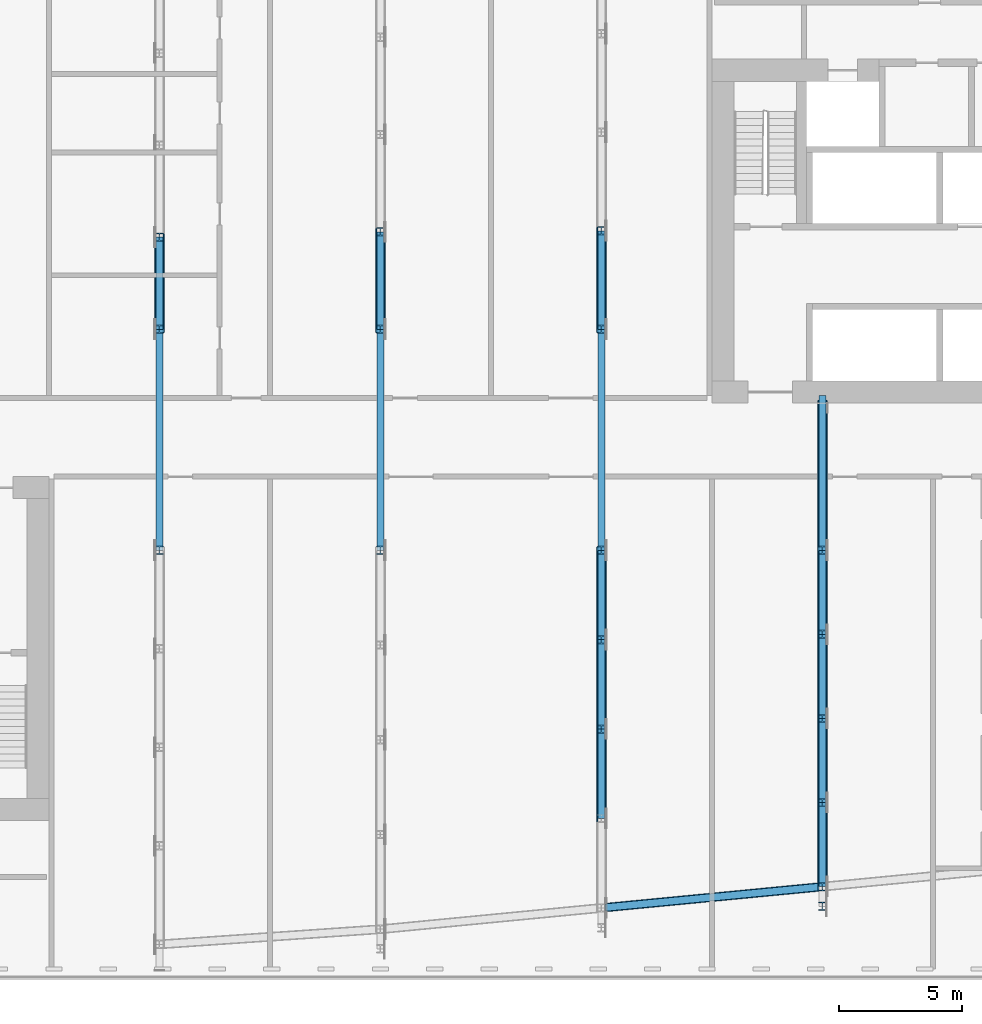
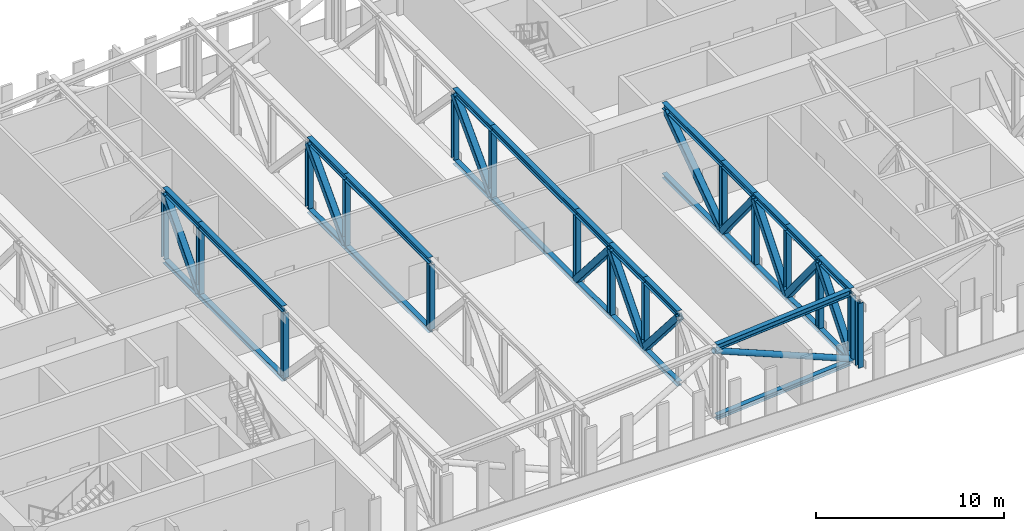
# One storey, part 2 of 22: 59 members.
"""IFC4 building model written with IfcOpenShell, lengths in metres."""

import ifcopenshell
import ifcopenshell.guid

model = None  # the IFC model being written
_history = None  # IfcOwnerHistory: only IFC2X3 demands one
_inside = {}  # id of a spatial element -> (the spatial element, [elements in it])
_under = {}  # id of a project, library or spatial element -> (it, [spatial elements below it])
_declared = {}  # id of a project -> (the project, [libraries it declares])
_typed = {}  # id of a type object -> (the type object, [elements of that type])
_made_of = {}  # id of a material, layer set ... -> (it, [elements and type objects made of it])


def new_model(schema):
    """Start an empty IFC model of exactly this schema.

    Asked for "IFC4X3", IfcOpenShell would pick the latest addendum, in which some entities
    have other attributes; the version numbers below select the first issue.
    IFC2X3 requires an IfcOwnerHistory on every rooted entity: one is made here for all.
    """
    global model, _history
    if schema == "IFC4X3":
        model = ifcopenshell.file(schema_version=(4, 3, 0, 0))
    else:
        model = ifcopenshell.file(schema=schema)
    _inside.clear()
    _under.clear()
    _declared.clear()
    _typed.clear()
    _made_of.clear()
    _history = None
    if model.schema == "IFC2X3":
        org = make("IfcOrganization", Name="unknown")
        user = make(
            "IfcPersonAndOrganization",
            ThePerson=make("IfcPerson", FamilyName="unknown"),
            TheOrganization=org,
        )
        app = make(
            "IfcApplication",
            ApplicationDeveloper=org,
            Version="unknown",
            ApplicationFullName="unknown",
            ApplicationIdentifier="unknown",
        )
        _history = make(
            "IfcOwnerHistory",
            OwningUser=user,
            OwningApplication=app,
            ChangeAction="ADDED",
            CreationDate=0,
        )
    return model


def make(cls, **values):
    """One entity of the class cls with the attributes given. An attribute that is None is left unset."""
    return model.create_entity(
        cls, **{name: value for name, value in values.items() if value is not None}
    )


def rooted(cls, **values):
    """An entity with a GlobalId (a new one), such as an element, a storey or a relation."""
    return make(cls, GlobalId=ifcopenshell.guid.new(), OwnerHistory=_history, **values)


def si_unit(unit_type, name, prefix=None):
    """IfcSIUnit, for example si_unit("LENGTHUNIT", "METRE", prefix="MILLI")."""
    return make("IfcSIUnit", UnitType=unit_type, Prefix=prefix, Name=name)


def assignment(units):
    """IfcUnitAssignment: the units of a project."""
    return None if units is None else make("IfcUnitAssignment", Units=units)


def point(xyz):
    """IfcCartesianPoint."""
    return None if xyz is None else make("IfcCartesianPoint", Coordinates=xyz)


def direction(xyz):
    """IfcDirection."""
    return None if xyz is None else make("IfcDirection", DirectionRatios=xyz)


def frame(location, z_axis=None, x_axis=None):
    """IfcAxis2Placement3D, a coordinate frame: its origin and axes. An axis left out is left unset."""
    return make(
        "IfcAxis2Placement3D",
        Location=point(location),
        Axis=direction(z_axis),
        RefDirection=direction(x_axis),
    )


def frame_2d(location, x_axis=None):
    """IfcAxis2Placement2D, a coordinate frame in the plane: its origin and x axis."""
    return make(
        "IfcAxis2Placement2D", Location=point(location), RefDirection=direction(x_axis)
    )


def origin():
    """The frame at (0, 0, 0) with its axes left unset."""
    return frame((0.0, 0.0, 0.0))


def origin_2d():
    """The frame at (0, 0) in the plane with its x axis left unset."""
    return frame_2d((0.0, 0.0))


def place(relative_to, where):
    """IfcLocalPlacement: puts the frame where relative to a parent placement (None: the world)."""
    return make(
        "IfcLocalPlacement", PlacementRelTo=relative_to, RelativePlacement=where
    )


def context(
    kind, dimensions, precision=None, world=None, true_north=None, identifier=None
):
    """IfcGeometricRepresentationContext, for example the 3D "Model" context."""
    return make(
        "IfcGeometricRepresentationContext",
        ContextIdentifier=identifier,
        ContextType=kind,
        CoordinateSpaceDimension=dimensions,
        Precision=precision,
        WorldCoordinateSystem=world,
        TrueNorth=true_north,
    )


def subcontext(parent, identifier, kind, view, scale=None):
    """IfcGeometricRepresentationSubContext, for example "Body" below "Model"."""
    return make(
        "IfcGeometricRepresentationSubContext",
        ContextIdentifier=identifier,
        ContextType=kind,
        ParentContext=parent,
        TargetScale=scale,
        TargetView=view,
    )


def project(units=None, contexts=None):
    """IfcProject with its units and contexts."""
    return rooted(
        "IfcProject",
        Name="project",
        RepresentationContexts=contexts,
        UnitsInContext=assignment(units),
    )


def spatial(cls, under=None, at=None, **own):
    """A site, building, storey or space (cls), placed at a placement, below another one or the project."""
    s = rooted(cls, ObjectPlacement=at, **own)
    if under is not None:
        _under.setdefault(under.id(), (under, []))[1].append(s)
    return s


def profile(cls, at=None, kind="AREA", **sizes):
    """A parametric profile (cls). Its sizes go by their IFC names, for example OverallWidth=200.0."""
    return make(cls, ProfileType=kind, Position=at, **sizes)


def hollow_rectangle(**sizes):
    """IfcRectangleHollowProfileDef."""
    return profile("IfcRectangleHollowProfileDef", **sizes)


def hollow_circle(**sizes):
    """IfcCircleHollowProfileDef."""
    return profile("IfcCircleHollowProfileDef", **sizes)


def i_section(**sizes):
    """IfcIShapeProfileDef."""
    return profile("IfcIShapeProfileDef", **sizes)


def extrude(swept, where, along, depth):
    """IfcExtrudedAreaSolid: the profile swept, set in the frame where, extruded along a direction by depth."""
    return make(
        "IfcExtrudedAreaSolid",
        SweptArea=swept,
        Position=where,
        ExtrudedDirection=direction(along),
        Depth=depth,
    )


def shape(context_of_items, identifier, shape_type, items):
    """IfcShapeRepresentation: the items that make up one representation, for example the "Body"."""
    return make(
        "IfcShapeRepresentation",
        ContextOfItems=context_of_items,
        RepresentationIdentifier=identifier,
        RepresentationType=shape_type,
        Items=items,
    )


def material(Name=None, Category=None):
    """IfcMaterial."""
    return make("IfcMaterial", Name=Name, Category=Category)


def material_profile(
    of_material, cross_section, Name=None, Category=None, Priority=None
):
    """IfcMaterialProfile: a cross section and its material."""
    return make(
        "IfcMaterialProfile",
        Name=Name,
        Material=of_material,
        Profile=cross_section,
        Priority=Priority,
        Category=Category,
    )


def profile_set(profiles, Name=None, composite=None):
    """IfcMaterialProfileSet."""
    return make(
        "IfcMaterialProfileSet",
        Name=Name,
        MaterialProfiles=profiles,
        CompositeProfile=composite,
    )


def made_of(thing, what):
    """Note that an element or type object is made of a material, layer set ...; save() writes the relation."""
    if what is not None:
        _made_of.setdefault(what.id(), (what, []))[1].append(thing)
    return thing


def type_object(cls, material=None, **own):
    """A type object (cls), such as IfcWallType, which elements share."""
    return made_of(rooted(cls, **own), material)


def element(
    cls,
    number,
    at=None,
    inside=None,
    cuts=None,
    type_object=None,
    material=None,
    context=None,
    identifier="Body",
    shape_type=None,
    held_by="IfcProductDefinitionShape",
    body=None,
    shapes=None,
    **own,
):
    """One element of the class cls, such as IfcWall. Its Tag is "e" and its number.

    at: its placement. inside: the storey or other place that contains it. cuts: it is an
    opening in that element (IfcRelVoidsElement). A single representation is given by context,
    identifier, shape_type and body (its items); several are given by shapes. held_by: the class
    of the entity that holds the representations. save() writes the other relations.
    """
    e = rooted(cls, Tag="e%d" % number, ObjectPlacement=at, **own)
    if body is not None:
        shapes = [shape(context, identifier, shape_type, body)]
    if shapes is not None:
        e.Representation = make(held_by, Representations=shapes)
    if inside is not None:
        _inside.setdefault(inside.id(), (inside, []))[1].append(e)
    if cuts is not None:
        rooted(
            "IfcRelVoidsElement", RelatingBuildingElement=cuts, RelatedOpeningElement=e
        )
    if type_object is not None:
        _typed.setdefault(type_object.id(), (type_object, []))[1].append(e)
    return made_of(e, material)


def aggregate(whole, parts):
    """IfcRelAggregates: a whole, such as a stair, and the parts it consists of."""
    return rooted("IfcRelAggregates", RelatingObject=whole, RelatedObjects=parts)


def save(model, path):
    """Write the relations noted so far, then the file.

    IfcRelAggregates (storeys below a building ...), IfcRelContainedInSpatialStructure (elements
    in a storey), IfcRelDefinesByType, IfcRelAssociatesMaterial and IfcRelDeclares: one each for
    every whole, place, type object, material and project.
    """
    for whole, parts in _under.values():
        aggregate(whole, parts)
    for where, things in _inside.values():
        rooted(
            "IfcRelContainedInSpatialStructure",
            RelatedElements=things,
            RelatingStructure=where,
        )
    for kind, things in _typed.values():
        rooted("IfcRelDefinesByType", RelatedObjects=things, RelatingType=kind)
    for what, things in _made_of.values():
        rooted("IfcRelAssociatesMaterial", RelatedObjects=things, RelatingMaterial=what)
    for by, libraries in _declared.values():
        rooted("IfcRelDeclares", RelatingContext=by, RelatedDefinitions=libraries)
    model.write(path)


model = new_model("IFC4")

# Units and contexts
model_context = context("Model", 3, precision=1e-05, world=origin(), true_north=direction((0.0, 1.0)))
body_context = subcontext(model_context, "Body", "Model", "MODEL_VIEW")
ifc_project = project(units=[si_unit("LENGTHUNIT", "METRE"), si_unit("AREAUNIT", "SQUARE_METRE"), si_unit("VOLUMEUNIT", "CUBIC_METRE"), si_unit("PLANEANGLEUNIT", "RADIAN"), si_unit("MASSUNIT", "GRAM", prefix="KILO")], contexts=[model_context])

# Site, building, storey
site_placement = place(None, origin())
site = spatial("IfcSite", under=ifc_project, at=site_placement, CompositionType="ELEMENT")
building_placement = place(site_placement, origin())
building = spatial("IfcBuilding", under=site, at=building_placement, Name="Kajstack Hotel Tower", CompositionType="ELEMENT")
storey_placement = place(building_placement, frame((0.0, 0.0, 99.60009765625)))
storey = spatial("IfcBuildingStorey", under=building, at=storey_placement, Name="L21", CompositionType="ELEMENT", Elevation=99.60009765625)

# Members
ifc_material = material(Name="Steel S355J2", Category="steel")
ifc_material_profile_1 = material_profile(ifc_material, i_section(OverallWidth=0.300048828125, OverallDepth=0.300048828125, WebThickness=0.010986328125, FlangeThickness=0.01904296875, FilletRadius=0.027099609375, at=origin_2d()), Name="HEB 300")
ifc_profile_set_1 = profile_set([ifc_material_profile_1], Name="Steel S355J2")
member_type_1 = type_object("IfcMemberType", Name="Belt truss bottom chord BB2 HEB 300", PredefinedType="CHORD", material=ifc_profile_set_1)
member_1_placement = place(storey_placement, frame((9.1494140625, -19.051513671875, -0.150146484375), z_axis=(0.995395510024, 0.095852900965, 0.0), x_axis=(-0.095852900965, 0.995395510024, 0.0)))
element("IfcMember", 1, at=member_1_placement, inside=storey, type_object=member_type_1, Name="S-belt-truss-L21-s06-b", PredefinedType="CHORD", context=body_context, shape_type="SweptSolid", body=[
    extrude(i_section(OverallWidth=0.300048828125, OverallDepth=0.300048828125, WebThickness=0.010986328125, FlangeThickness=0.01904296875, FilletRadius=0.027099609375, at=origin_2d()), origin(), (0.0, 0.0, 1.0), 8.741455078125),
])
ifc_material_profile_2 = material_profile(ifc_material, i_section(OverallWidth=0.300048828125, OverallDepth=0.300048828125, WebThickness=0.010986328125, FlangeThickness=0.01904296875, FilletRadius=0.027099609375, at=origin_2d()), Name="HEB 300")
ifc_profile_set_2 = profile_set([ifc_material_profile_2], Name="Steel S355J2")
member_type_2 = type_object("IfcMemberType", Name="Belt truss bottom chord BC2 HEB 300", PredefinedType="CHORD", material=ifc_profile_set_2)
member_2_placement = place(storey_placement, frame((-9.0, -4.5, -0.150146484375), z_axis=(0.0, 1.0, 0.0), x_axis=(-1.0, 0.0, 0.0)))
element("IfcMember", 2, at=member_2_placement, inside=storey, type_object=member_type_2, Name="S-belt-truss-L21--9p0-1-bc16", PredefinedType="CHORD", context=body_context, shape_type="SweptSolid", body=[
    extrude(i_section(OverallWidth=0.300048828125, OverallDepth=0.300048828125, WebThickness=0.010986328125, FlangeThickness=0.01904296875, FilletRadius=0.027099609375, at=origin_2d()), origin(), (0.0, 0.0, 1.0), 9.0),
])
member_3_placement = place(storey_placement, frame((-9.0, 4.5, -0.150146484375), z_axis=(0.0, 1.0, 0.0), x_axis=(-1.0, 0.0, 0.0)))
element("IfcMember", 3, at=member_3_placement, inside=storey, type_object=member_type_2, Name="S-belt-truss-L21--9p0-1-bc17", PredefinedType="CHORD", context=body_context, shape_type="SweptSolid", body=[
    extrude(i_section(OverallWidth=0.300048828125, OverallDepth=0.300048828125, WebThickness=0.010986328125, FlangeThickness=0.01904296875, FilletRadius=0.027099609375, at=origin_2d()), origin(), (0.0, 0.0, 1.0), 3.748779296875),
])
member_4_placement = place(storey_placement, frame((0.0, -4.5, -0.150146484375), z_axis=(0.0, 1.0, 0.0), x_axis=(-1.0, 0.0, 0.0)))
element("IfcMember", 4, at=member_4_placement, inside=storey, type_object=member_type_2, Name="S-belt-truss-L21-+0p0-1-bc17", PredefinedType="CHORD", context=body_context, shape_type="SweptSolid", body=[
    extrude(i_section(OverallWidth=0.300048828125, OverallDepth=0.300048828125, WebThickness=0.010986328125, FlangeThickness=0.01904296875, FilletRadius=0.027099609375, at=origin_2d()), origin(), (0.0, 0.0, 1.0), 9.0),
])
member_5_placement = place(storey_placement, frame((0.0, 4.5, -0.150146484375), z_axis=(0.0, 1.0, 0.0), x_axis=(-1.0, 0.0, 0.0)))
element("IfcMember", 5, at=member_5_placement, inside=storey, type_object=member_type_2, Name="S-belt-truss-L21-+0p0-1-bc18", PredefinedType="CHORD", context=body_context, shape_type="SweptSolid", body=[
    extrude(i_section(OverallWidth=0.300048828125, OverallDepth=0.300048828125, WebThickness=0.010986328125, FlangeThickness=0.01904296875, FilletRadius=0.027099609375, at=origin_2d()), origin(), (0.0, 0.0, 1.0), 3.965576171875),
])
for number, where, z_axis, x_axis, name in (
    (6, (9.0, -15.42431640625, -0.150146484375), (0.0, 1.0, 0.0), (-1.0, 0.0, 0.0), "S-belt-truss-L21-+9p0-1-bc15"),
    (7, (9.0, -11.782958984375, -0.150146484375), (0.0, 1.0, 0.0), (-1.0, 0.0, 0.0), "S-belt-truss-L21-+9p0-1-bc16"),
):
    element("IfcMember", number, at=place(storey_placement, frame(where, z_axis=z_axis, x_axis=x_axis)), inside=storey, type_object=member_type_2, Name=name, PredefinedType="CHORD", context=body_context, shape_type="SweptSolid", body=[
        extrude(i_section(OverallWidth=0.300048828125, OverallDepth=0.300048828125, WebThickness=0.010986328125, FlangeThickness=0.01904296875, FilletRadius=0.027099609375, at=origin_2d()), origin(), (0.0, 0.0, 1.0), 3.641357421875),
    ])
member_6_placement = place(storey_placement, frame((9.0, -8.1416015625, -0.150146484375), z_axis=(0.0, 1.0, 0.0), x_axis=(-1.0, 0.0, 0.0)))
element("IfcMember", 8, at=member_6_placement, inside=storey, type_object=member_type_2, Name="S-belt-truss-L21-+9p0-1-bc17", PredefinedType="CHORD", context=body_context, shape_type="SweptSolid", body=[
    extrude(i_section(OverallWidth=0.300048828125, OverallDepth=0.300048828125, WebThickness=0.010986328125, FlangeThickness=0.01904296875, FilletRadius=0.027099609375, at=origin_2d()), origin(), (0.0, 0.0, 1.0), 3.6416015625),
])
member_7_placement = place(storey_placement, frame((9.0, -4.5, -0.150146484375), z_axis=(0.0, 1.0, 0.0), x_axis=(-1.0, 0.0, 0.0)))
element("IfcMember", 9, at=member_7_placement, inside=storey, type_object=member_type_2, Name="S-belt-truss-L21-+9p0-1-bc18", PredefinedType="CHORD", context=body_context, shape_type="SweptSolid", body=[
    extrude(i_section(OverallWidth=0.300048828125, OverallDepth=0.300048828125, WebThickness=0.010986328125, FlangeThickness=0.01904296875, FilletRadius=0.027099609375, at=origin_2d()), origin(), (0.0, 0.0, 1.0), 9.0),
])
member_8_placement = place(storey_placement, frame((9.0, 4.5, -0.150146484375), z_axis=(0.0, 1.0, 0.0), x_axis=(-1.0, 0.0, 0.0)))
element("IfcMember", 10, at=member_8_placement, inside=storey, type_object=member_type_2, Name="S-belt-truss-L21-+9p0-1-bc19", PredefinedType="CHORD", context=body_context, shape_type="SweptSolid", body=[
    extrude(i_section(OverallWidth=0.300048828125, OverallDepth=0.300048828125, WebThickness=0.010986328125, FlangeThickness=0.01904296875, FilletRadius=0.027099609375, at=origin_2d()), origin(), (0.0, 0.0, 1.0), 4.012451171875),
])
for number, where, z_axis, x_axis, name in (
    (11, (18.0, -18.19921875, -0.150146484375), (0.0, 1.0, 0.0), (-1.0, 0.0, 0.0), "S-outrigger-truss-L21-+18p0-1-bc8"),
    (12, (18.0, -14.7744140625, -0.150146484375), (0.0, 1.0, 0.0), (-1.0, 0.0, 0.0), "S-outrigger-truss-L21-+18p0-1-bc9"),
    (13, (18.0, -11.349609375, -0.150146484375), (0.0, 1.0, 0.0), (-1.0, 0.0, 0.0), "S-outrigger-truss-L21-+18p0-1-bc10"),
    (14, (18.0, -7.9248046875, -0.150146484375), (0.0, 1.0, 0.0), (-1.0, 0.0, 0.0), "S-outrigger-truss-L21-+18p0-1-bc11"),
):
    element("IfcMember", number, at=place(storey_placement, frame(where, z_axis=z_axis, x_axis=x_axis)), inside=storey, type_object=member_type_2, Name=name, PredefinedType="CHORD", context=body_context, shape_type="SweptSolid", body=[
        extrude(i_section(OverallWidth=0.300048828125, OverallDepth=0.300048828125, WebThickness=0.010986328125, FlangeThickness=0.01904296875, FilletRadius=0.027099609375, at=origin_2d()), origin(), (0.0, 0.0, 1.0), 3.4248046875),
    ])
member_9_placement = place(storey_placement, frame((18.0, -4.5, -0.150146484375), z_axis=(0.0, 1.0, 0.0), x_axis=(-1.0, 0.0, 0.0)))
element("IfcMember", 15, at=member_9_placement, inside=storey, type_object=member_type_2, Name="S-outrigger-truss-L21-+18p0-1-bc12", PredefinedType="CHORD", context=body_context, shape_type="SweptSolid", body=[
    extrude(i_section(OverallWidth=0.300048828125, OverallDepth=0.300048828125, WebThickness=0.010986328125, FlangeThickness=0.01904296875, FilletRadius=0.027099609375, at=origin_2d()), origin(), (0.0, 0.0, 1.0), 6.300048828125),
])
ifc_material_profile_3 = material_profile(ifc_material, hollow_circle(Radius=0.177734375, WallThickness=0.01611328125, at=origin_2d()), Name="CHS 355.6x16")
ifc_profile_set_3 = profile_set([ifc_material_profile_3], Name="Steel S355J2")
member_type_3 = type_object("IfcMemberType", Name="Belt truss diagonal BD2 CHS 355.6x16", PredefinedType="BRACE", material=ifc_profile_set_3)
member_10_placement = place(storey_placement, frame((18.0, -18.19921875, 0.0), z_axis=(-0.902372121579, -0.086898356977, 0.422105709215), x_axis=(0.095856468129, -0.995395166513, 0.0)))
element("IfcMember", 16, at=member_10_placement, inside=storey, type_object=member_type_3, Name="S-belt-truss-L21-s06-d", PredefinedType="BRACE", context=body_context, shape_type="SweptSolid", body=[
    extrude(hollow_circle(Radius=0.177734375, WallThickness=0.01611328125, at=origin_2d()), origin(), (0.0, 0.0, 1.0), 9.9736328125),
])
ifc_material_profile_4 = material_profile(ifc_material, hollow_rectangle(XDim=0.39990234375, YDim=0.39990234375, WallThickness=0.02001953125, InnerFilletRadius=0.02001953125, OuterFilletRadius=0.030029296875, at=origin_2d()), Name="SHS 400x400x20")
ifc_profile_set_4 = profile_set([ifc_material_profile_4], Name="Steel S355J2")
member_type_4 = type_object("IfcMemberType", Name="Belt truss diagonal DG2 SHS 400x400x20", PredefinedType="BRACE", material=ifc_profile_set_4)
member_11_placement = place(storey_placement, frame((-9.0, 4.5, 0.0), z_axis=(0.0, 0.665016811275, 0.746828387732), x_axis=(-1.0, 0.0, 0.0)))
element("IfcMember", 17, at=member_11_placement, inside=storey, type_object=member_type_4, Name="S-belt-truss-L21--9p0-1-dg37", PredefinedType="BRACE", context=body_context, shape_type="SweptSolid", body=[
    extrude(hollow_rectangle(XDim=0.39990234375, YDim=0.39990234375, WallThickness=0.02001953125, InnerFilletRadius=0.02001953125, OuterFilletRadius=0.030029296875, at=origin_2d()), origin(), (0.0, 0.0, 1.0), 5.63720703125),
])
member_12_placement = place(storey_placement, frame((0.0, 4.5, 0.0), z_axis=(0.0, 0.685663539325, 0.727918615534), x_axis=(-1.0, 0.0, 0.0)))
element("IfcMember", 18, at=member_12_placement, inside=storey, type_object=member_type_4, Name="S-belt-truss-L21-+0p0-1-dg39", PredefinedType="BRACE", context=body_context, shape_type="SweptSolid", body=[
    extrude(hollow_rectangle(XDim=0.39990234375, YDim=0.39990234375, WallThickness=0.02001953125, InnerFilletRadius=0.02001953125, OuterFilletRadius=0.030029296875, at=origin_2d()), origin(), (0.0, 0.0, 1.0), 5.783447265625),
])
for number, where, z_axis, x_axis, name in (
    (19, (9.0, -11.782958984375, 0.0), (0.0, -0.654183806119, 0.756335605278), (1.0, 0.0, 0.0), "S-belt-truss-L21-+9p0-1-dg37"),
    (20, (9.0, -11.782958984375, 0.0), (0.0, 0.654183806119, 0.756335605278), (-1.0, 0.0, 0.0), "S-belt-truss-L21-+9p0-1-dg38"),
):
    element("IfcMember", number, at=place(storey_placement, frame(where, z_axis=z_axis, x_axis=x_axis)), inside=storey, type_object=member_type_4, Name=name, PredefinedType="BRACE", context=body_context, shape_type="SweptSolid", body=[
        extrude(hollow_rectangle(XDim=0.39990234375, YDim=0.39990234375, WallThickness=0.02001953125, InnerFilletRadius=0.02001953125, OuterFilletRadius=0.030029296875, at=origin_2d()), origin(), (0.0, 0.0, 1.0), 5.566162109375),
    ])
member_13_placement = place(storey_placement, frame((9.0, -4.5, 0.0), z_axis=(0.0, -0.654208895326, 0.756313903929), x_axis=(1.0, 0.0, 0.0)))
element("IfcMember", 21, at=member_13_placement, inside=storey, type_object=member_type_4, Name="S-belt-truss-L21-+9p0-1-dg39", PredefinedType="BRACE", context=body_context, shape_type="SweptSolid", body=[
    extrude(hollow_rectangle(XDim=0.39990234375, YDim=0.39990234375, WallThickness=0.02001953125, InnerFilletRadius=0.02001953125, OuterFilletRadius=0.030029296875, at=origin_2d()), origin(), (0.0, 0.0, 1.0), 5.56640625),
])
member_14_placement = place(storey_placement, frame((9.0, 4.5, 0.0), z_axis=(0.0, 0.689922422397, 0.723883313162), x_axis=(-1.0, 0.0, 0.0)))
element("IfcMember", 22, at=member_14_placement, inside=storey, type_object=member_type_4, Name="S-belt-truss-L21-+9p0-1-dg40", PredefinedType="BRACE", context=body_context, shape_type="SweptSolid", body=[
    extrude(hollow_rectangle(XDim=0.39990234375, YDim=0.39990234375, WallThickness=0.02001953125, InnerFilletRadius=0.02001953125, OuterFilletRadius=0.030029296875, at=origin_2d()), origin(), (0.0, 0.0, 1.0), 5.81591796875),
])
for number, where, z_axis, x_axis, name in (
    (23, (18.0, -18.19921875, 0.0), (0.0, 0.631059939013, 0.775734073876), (-1.0, 0.0, 0.0), "S-outrigger-truss-L21-+18p0-1-dg19"),
    (24, (18.0, -11.349609375, 0.0), (0.0, -0.631059939013, 0.775734073876), (1.0, 0.0, 0.0), "S-outrigger-truss-L21-+18p0-1-dg20"),
    (25, (18.0, -11.349609375, 0.0), (0.0, 0.631059939013, 0.775734073876), (-1.0, 0.0, 0.0), "S-outrigger-truss-L21-+18p0-1-dg21"),
    (26, (18.0, -4.5, 0.0), (0.0, -0.631059939013, 0.775734073876), (1.0, 0.0, 0.0), "S-outrigger-truss-L21-+18p0-1-dg22"),
):
    element("IfcMember", number, at=place(storey_placement, frame(where, z_axis=z_axis, x_axis=x_axis)), inside=storey, type_object=member_type_4, Name=name, PredefinedType="BRACE", context=body_context, shape_type="SweptSolid", body=[
        extrude(hollow_rectangle(XDim=0.39990234375, YDim=0.39990234375, WallThickness=0.02001953125, InnerFilletRadius=0.02001953125, OuterFilletRadius=0.030029296875, at=origin_2d()), origin(), (0.0, 0.0, 1.0), 5.427001953125),
    ])
member_15_placement = place(storey_placement, frame((18.0, -4.5, 0.0), z_axis=(0.0, 0.818592960078, 0.574374064274), x_axis=(-1.0, 0.0, 0.0)))
element("IfcMember", 27, at=member_15_placement, inside=storey, type_object=member_type_4, Name="S-outrigger-truss-L21-+18p0-1-dg23", PredefinedType="BRACE", context=body_context, shape_type="SweptSolid", body=[
    extrude(hollow_rectangle(XDim=0.39990234375, YDim=0.39990234375, WallThickness=0.02001953125, InnerFilletRadius=0.02001953125, OuterFilletRadius=0.030029296875, at=origin_2d()), origin(), (0.0, 0.0, 1.0), 7.32958984375),
])
ifc_material_profile_5 = material_profile(ifc_material, i_section(OverallWidth=0.31005859375, OverallDepth=0.340087890625, WebThickness=0.02099609375, FlangeThickness=0.0390625, FilletRadius=0.027099609375, at=origin_2d()), Name="HEM 300")
ifc_profile_set_5 = profile_set([ifc_material_profile_5], Name="Steel S355J2")
member_type_5 = type_object("IfcMemberType", Name="Belt truss post PO2 HEM 300", PredefinedType="POST", material=ifc_profile_set_5)
for number, where, z_axis, x_axis, name in (
    (28, (-9.0, -4.5, 0.0), (0.0, 0.0, 1.0), (1.0, 0.0, 0.0), "S-belt-truss-L21--9p0-1-po26"),
    (29, (-9.0, 4.5, 0.0), (0.0, 0.0, 1.0), (1.0, 0.0, 0.0), "S-belt-truss-L21--9p0-1-po27"),
    (30, (-9.0, 8.248779296875, 0.0), (0.0, 0.0, 1.0), (1.0, 0.0, 0.0), "S-belt-truss-L21--9p0-1-po28"),
    (31, (0.0, -4.5, 0.0), (0.0, 0.0, 1.0), (1.0, 0.0, 0.0), "S-belt-truss-L21-+0p0-1-po28"),
    (32, (0.0, 4.5, 0.0), (0.0, 0.0, 1.0), (1.0, 0.0, 0.0), "S-belt-truss-L21-+0p0-1-po29"),
    (33, (0.0, 8.465576171875, 0.0), (0.0, 0.0, 1.0), (1.0, 0.0, 0.0), "S-belt-truss-L21-+0p0-1-po30"),
    (34, (9.0, -11.782958984375, 0.0), (0.0, 0.0, 1.0), (1.0, 0.0, 0.0), "S-belt-truss-L21-+9p0-1-po27"),
    (35, (9.0, -8.1416015625, 0.0), (0.0, 0.0, 1.0), (1.0, 0.0, 0.0), "S-belt-truss-L21-+9p0-1-po28"),
    (36, (9.0, -4.5, 0.0), (0.0, 0.0, 1.0), (1.0, 0.0, 0.0), "S-belt-truss-L21-+9p0-1-po29"),
    (37, (9.0, 4.5, 0.0), (0.0, 0.0, 1.0), (1.0, 0.0, 0.0), "S-belt-truss-L21-+9p0-1-po30"),
    (38, (9.0, 8.512451171875, 0.0), (0.0, 0.0, 1.0), (1.0, 0.0, 0.0), "S-belt-truss-L21-+9p0-1-po31"),
    (39, (18.0, -18.999267578125, 0.0), (0.0, 0.0, 1.0), (1.0, 0.0, 0.0), "S-outrigger-truss-L21-+18p0-1-po13"),
    (40, (18.0, -18.19921875, 0.0), (0.0, 0.0, 1.0), (1.0, 0.0, 0.0), "S-outrigger-truss-L21-+18p0-1-po14"),
    (41, (18.0, -14.7744140625, 0.0), (0.0, 0.0, 1.0), (1.0, 0.0, 0.0), "S-outrigger-truss-L21-+18p0-1-po15"),
    (42, (18.0, -11.349609375, 0.0), (0.0, 0.0, 1.0), (1.0, 0.0, 0.0), "S-outrigger-truss-L21-+18p0-1-po16"),
    (43, (18.0, -7.9248046875, 0.0), (0.0, 0.0, 1.0), (1.0, 0.0, 0.0), "S-outrigger-truss-L21-+18p0-1-po17"),
    (44, (18.0, -4.5, 0.0), (0.0, 0.0, 1.0), (1.0, 0.0, 0.0), "S-outrigger-truss-L21-+18p0-1-po18"),
):
    element("IfcMember", number, at=place(storey_placement, frame(where, z_axis=z_axis, x_axis=x_axis)), inside=storey, type_object=member_type_5, Name=name, PredefinedType="POST", context=body_context, shape_type="SweptSolid", body=[
        extrude(i_section(OverallWidth=0.31005859375, OverallDepth=0.340087890625, WebThickness=0.02099609375, FlangeThickness=0.0390625, FilletRadius=0.027099609375, at=origin_2d()), origin(), (0.0, 0.0, 1.0), 4.2099609375),
    ])
ifc_material_profile_6 = material_profile(ifc_material, i_section(OverallWidth=0.300048828125, OverallDepth=0.389892578125, WebThickness=0.010986328125, FlangeThickness=0.01904296875, FilletRadius=0.027099609375, at=origin_2d()), Name="HEA 400")
ifc_profile_set_6 = profile_set([ifc_material_profile_6], Name="Steel S355J2")
member_type_6 = type_object("IfcMemberType", Name="Belt truss top chord BT2 HEA 400", PredefinedType="CHORD", material=ifc_profile_set_6)
member_16_placement = place(storey_placement, frame((9.1494140625, -19.051513671875, 4.40478515625), z_axis=(0.995395510024, 0.095852900965, 0.0), x_axis=(-0.095852900965, 0.995395510024, 0.0)))
element("IfcMember", 45, at=member_16_placement, inside=storey, type_object=member_type_6, Name="S-belt-truss-L21-s06-t", PredefinedType="CHORD", context=body_context, shape_type="SweptSolid", body=[
    extrude(i_section(OverallWidth=0.300048828125, OverallDepth=0.389892578125, WebThickness=0.010986328125, FlangeThickness=0.01904296875, FilletRadius=0.027099609375, at=origin_2d()), origin(), (0.0, 0.0, 1.0), 8.741455078125),
])
ifc_material_profile_7 = material_profile(ifc_material, i_section(OverallWidth=0.300048828125, OverallDepth=0.389892578125, WebThickness=0.010986328125, FlangeThickness=0.01904296875, FilletRadius=0.027099609375, at=origin_2d()), Name="HEA 400")
ifc_profile_set_7 = profile_set([ifc_material_profile_7], Name="Steel S355J2")
member_type_7 = type_object("IfcMemberType", Name="Belt truss top chord TC2 HEA 400", PredefinedType="CHORD", material=ifc_profile_set_7)
member_17_placement = place(storey_placement, frame((-9.0, -4.5, 4.40478515625), z_axis=(0.0, 1.0, 0.0), x_axis=(-1.0, 0.0, 0.0)))
element("IfcMember", 46, at=member_17_placement, inside=storey, type_object=member_type_7, Name="S-belt-truss-L21--9p0-1-tc6", PredefinedType="CHORD", context=body_context, shape_type="SweptSolid", body=[
    extrude(i_section(OverallWidth=0.300048828125, OverallDepth=0.389892578125, WebThickness=0.010986328125, FlangeThickness=0.01904296875, FilletRadius=0.027099609375, at=origin_2d()), origin(), (0.0, 0.0, 1.0), 9.0),
])
member_18_placement = place(storey_placement, frame((-9.0, 4.5, 4.40478515625), z_axis=(0.0, 1.0, 0.0), x_axis=(-1.0, 0.0, 0.0)))
element("IfcMember", 47, at=member_18_placement, inside=storey, type_object=member_type_7, Name="S-belt-truss-L21--9p0-1-tc7", PredefinedType="CHORD", context=body_context, shape_type="SweptSolid", body=[
    extrude(i_section(OverallWidth=0.300048828125, OverallDepth=0.389892578125, WebThickness=0.010986328125, FlangeThickness=0.01904296875, FilletRadius=0.027099609375, at=origin_2d()), origin(), (0.0, 0.0, 1.0), 3.748779296875),
])
member_19_placement = place(storey_placement, frame((0.0, -4.5, 4.40478515625), z_axis=(0.0, 1.0, 0.0), x_axis=(-1.0, 0.0, 0.0)))
element("IfcMember", 48, at=member_19_placement, inside=storey, type_object=member_type_7, Name="S-belt-truss-L21-+0p0-1-tc6", PredefinedType="CHORD", context=body_context, shape_type="SweptSolid", body=[
    extrude(i_section(OverallWidth=0.300048828125, OverallDepth=0.389892578125, WebThickness=0.010986328125, FlangeThickness=0.01904296875, FilletRadius=0.027099609375, at=origin_2d()), origin(), (0.0, 0.0, 1.0), 9.0),
])
member_20_placement = place(storey_placement, frame((0.0, 4.5, 4.40478515625), z_axis=(0.0, 1.0, 0.0), x_axis=(-1.0, 0.0, 0.0)))
element("IfcMember", 49, at=member_20_placement, inside=storey, type_object=member_type_7, Name="S-belt-truss-L21-+0p0-1-tc7", PredefinedType="CHORD", context=body_context, shape_type="SweptSolid", body=[
    extrude(i_section(OverallWidth=0.300048828125, OverallDepth=0.389892578125, WebThickness=0.010986328125, FlangeThickness=0.01904296875, FilletRadius=0.027099609375, at=origin_2d()), origin(), (0.0, 0.0, 1.0), 3.965576171875),
])
for number, where, z_axis, x_axis, name in (
    (50, (9.0, -15.42431640625, 4.40478515625), (0.0, 1.0, 0.0), (-1.0, 0.0, 0.0), "S-belt-truss-L21-+9p0-1-tc3"),
    (51, (9.0, -11.782958984375, 4.40478515625), (0.0, 1.0, 0.0), (-1.0, 0.0, 0.0), "S-belt-truss-L21-+9p0-1-tc4"),
):
    element("IfcMember", number, at=place(storey_placement, frame(where, z_axis=z_axis, x_axis=x_axis)), inside=storey, type_object=member_type_7, Name=name, PredefinedType="CHORD", context=body_context, shape_type="SweptSolid", body=[
        extrude(i_section(OverallWidth=0.300048828125, OverallDepth=0.389892578125, WebThickness=0.010986328125, FlangeThickness=0.01904296875, FilletRadius=0.027099609375, at=origin_2d()), origin(), (0.0, 0.0, 1.0), 3.641357421875),
    ])
member_21_placement = place(storey_placement, frame((9.0, -8.1416015625, 4.40478515625), z_axis=(0.0, 1.0, 0.0), x_axis=(-1.0, 0.0, 0.0)))
element("IfcMember", 52, at=member_21_placement, inside=storey, type_object=member_type_7, Name="S-belt-truss-L21-+9p0-1-tc5", PredefinedType="CHORD", context=body_context, shape_type="SweptSolid", body=[
    extrude(i_section(OverallWidth=0.300048828125, OverallDepth=0.389892578125, WebThickness=0.010986328125, FlangeThickness=0.01904296875, FilletRadius=0.027099609375, at=origin_2d()), origin(), (0.0, 0.0, 1.0), 3.6416015625),
])
member_22_placement = place(storey_placement, frame((9.0, -4.5, 4.40478515625), z_axis=(0.0, 1.0, 0.0), x_axis=(-1.0, 0.0, 0.0)))
element("IfcMember", 53, at=member_22_placement, inside=storey, type_object=member_type_7, Name="S-belt-truss-L21-+9p0-1-tc6", PredefinedType="CHORD", context=body_context, shape_type="SweptSolid", body=[
    extrude(i_section(OverallWidth=0.300048828125, OverallDepth=0.389892578125, WebThickness=0.010986328125, FlangeThickness=0.01904296875, FilletRadius=0.027099609375, at=origin_2d()), origin(), (0.0, 0.0, 1.0), 9.0),
])
member_23_placement = place(storey_placement, frame((9.0, 4.5, 4.40478515625), z_axis=(0.0, 1.0, 0.0), x_axis=(-1.0, 0.0, 0.0)))
element("IfcMember", 54, at=member_23_placement, inside=storey, type_object=member_type_7, Name="S-belt-truss-L21-+9p0-1-tc7", PredefinedType="CHORD", context=body_context, shape_type="SweptSolid", body=[
    extrude(i_section(OverallWidth=0.300048828125, OverallDepth=0.389892578125, WebThickness=0.010986328125, FlangeThickness=0.01904296875, FilletRadius=0.027099609375, at=origin_2d()), origin(), (0.0, 0.0, 1.0), 4.012451171875),
])
for number, where, z_axis, x_axis, name in (
    (55, (18.0, -18.19921875, 4.40478515625), (0.0, 1.0, 0.0), (-1.0, 0.0, 0.0), "S-outrigger-truss-L21-+18p0-1-tc2"),
    (56, (18.0, -14.7744140625, 4.40478515625), (0.0, 1.0, 0.0), (-1.0, 0.0, 0.0), "S-outrigger-truss-L21-+18p0-1-tc3"),
    (57, (18.0, -11.349609375, 4.40478515625), (0.0, 1.0, 0.0), (-1.0, 0.0, 0.0), "S-outrigger-truss-L21-+18p0-1-tc4"),
    (58, (18.0, -7.9248046875, 4.40478515625), (0.0, 1.0, 0.0), (-1.0, 0.0, 0.0), "S-outrigger-truss-L21-+18p0-1-tc5"),
):
    element("IfcMember", number, at=place(storey_placement, frame(where, z_axis=z_axis, x_axis=x_axis)), inside=storey, type_object=member_type_7, Name=name, PredefinedType="CHORD", context=body_context, shape_type="SweptSolid", body=[
        extrude(i_section(OverallWidth=0.300048828125, OverallDepth=0.389892578125, WebThickness=0.010986328125, FlangeThickness=0.01904296875, FilletRadius=0.027099609375, at=origin_2d()), origin(), (0.0, 0.0, 1.0), 3.4248046875),
    ])
member_24_placement = place(storey_placement, frame((18.0, -4.5, 4.40478515625), z_axis=(0.0, 1.0, 0.0), x_axis=(-1.0, 0.0, 0.0)))
element("IfcMember", 59, at=member_24_placement, inside=storey, type_object=member_type_7, Name="S-outrigger-truss-L21-+18p0-1-tc6", PredefinedType="CHORD", context=body_context, shape_type="SweptSolid", body=[
    extrude(i_section(OverallWidth=0.300048828125, OverallDepth=0.389892578125, WebThickness=0.010986328125, FlangeThickness=0.01904296875, FilletRadius=0.027099609375, at=origin_2d()), origin(), (0.0, 0.0, 1.0), 6.300048828125),
])

save(model, "model.ifc")
